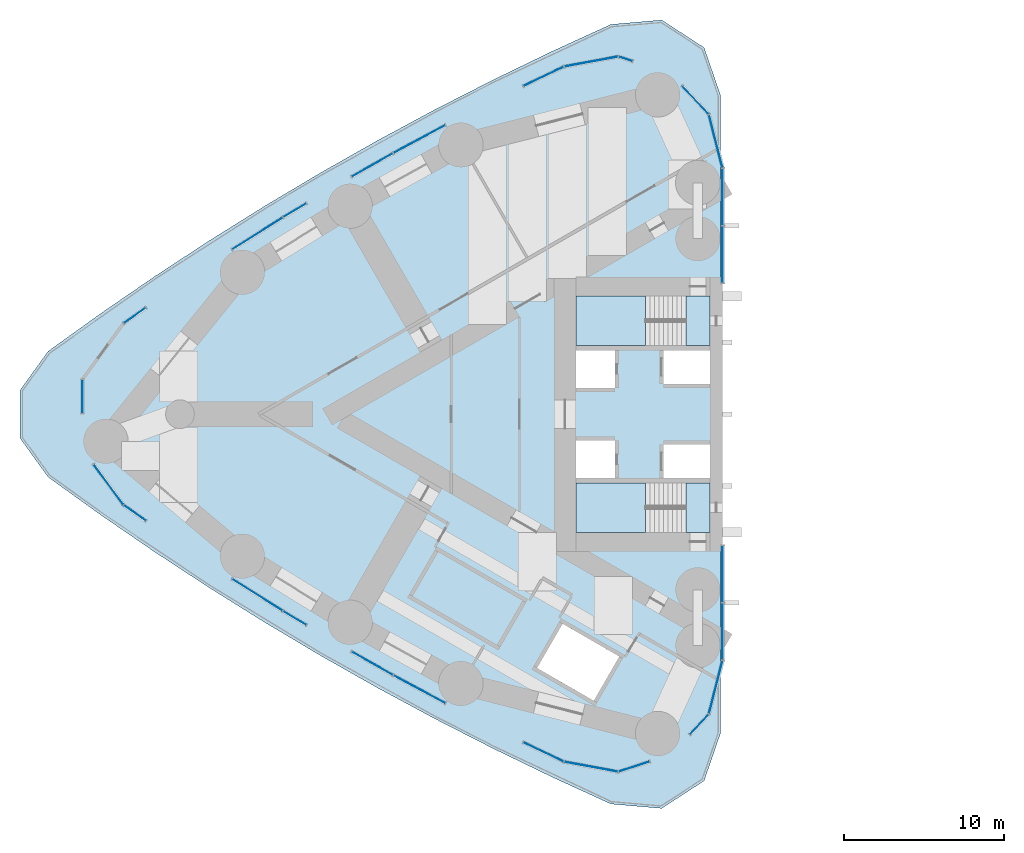
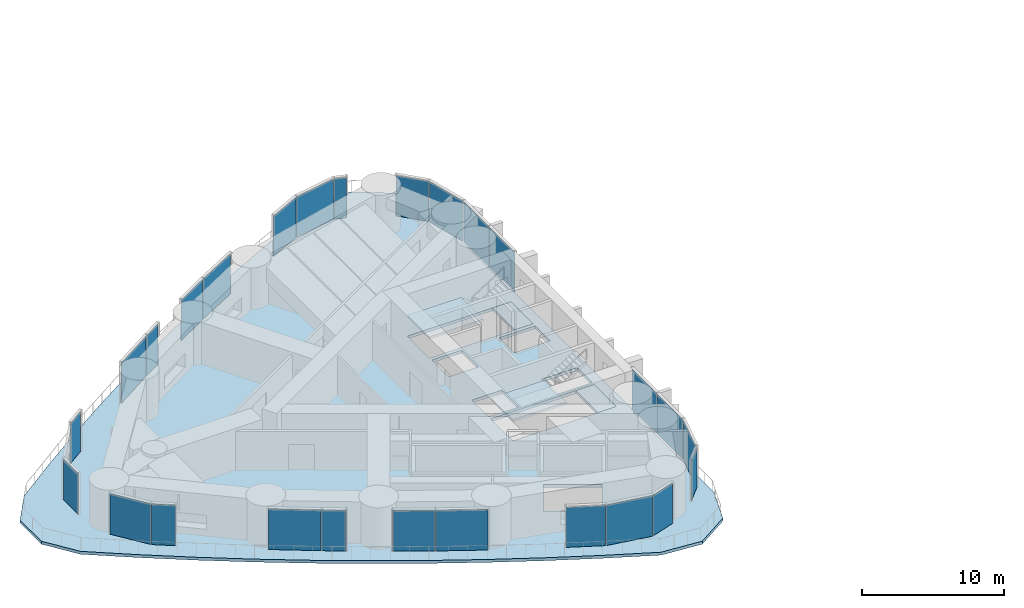
# One storey, part 9 of 17: 26 plates, 5 slabs, 13 elements without a shape of their own.
"""IFC4 building model written with IfcOpenShell, lengths in metres."""

from ifc_helpers import new_model, si_unit, direction, frame, origin, origin_2d, place, context, subcontext, project, spatial, polyline, rectangle, outline, extrude, material, layer, layer_set, type_object, element, aggregate, save


model = new_model("IFC4")

# Units and contexts
model_context = context("Model", 3, precision=1e-05, world=origin(), true_north=direction((0.0, 1.0)))
body_context = subcontext(model_context, "Body", "Model", "MODEL_VIEW")
ifc_project = project(units=[si_unit("LENGTHUNIT", "METRE"), si_unit("AREAUNIT", "SQUARE_METRE"), si_unit("VOLUMEUNIT", "CUBIC_METRE"), si_unit("PLANEANGLEUNIT", "RADIAN"), si_unit("MASSUNIT", "GRAM", prefix="KILO")], contexts=[model_context])

# Site, building, storey
site_placement = place(None, origin())
site = spatial("IfcSite", under=ifc_project, at=site_placement, CompositionType="ELEMENT")
building_placement = place(site_placement, origin())
building = spatial("IfcBuilding", under=site, at=building_placement, Name="Lancet Gate Hotel", CompositionType="ELEMENT")
storey_placement = place(building_placement, frame((0.0, 0.0, 152.699951171875)))
storey = spatial("IfcBuildingStorey", under=building, at=storey_placement, Name="L40", CompositionType="ELEMENT", Elevation=152.699951171875)

# Slab
ifc_material_1 = material(Name="Concrete C50/60", Category="concrete")
ifc_layer_1 = layer(ifc_material_1, 0.25)
ifc_layer_set_1 = layer_set([ifc_layer_1], Name="Floor slab 250")
slab_type_1 = type_object("IfcSlabType", Name="Floor slab 250", PredefinedType="FLOOR", material=ifc_layer_set_1)
slab_1_placement = place(storey_placement, frame((0.0, 0.0, -0.25)))
element("IfcSlab", 1, at=slab_1_placement, inside=storey, type_object=slab_type_1, Name="T1 L40 floor slab", PredefinedType="FLOOR", context=body_context, shape_type="SweptSolid", body=[
    extrude(outline(polyline([(-27.5, 8.199951171875), (-27.5, 8.60009765625), (-27.6201171875, 8.60009765625), (-27.6201171875, 15.408203125), (-27.6201171875, 19.950927734375), (-28.65966796875, 22.970947265625), (-31.320068359375, 24.69921875), (-34.5009765625, 24.421630859375), (-38.201416015625, 22.727783203125), (-41.8818359375, 20.946044921875), (-45.523193359375, 19.085693359375), (-49.12353515625, 17.147216796875), (-52.681396484375, 15.131591796875), (-56.195068359375, 13.0400390625), (-59.662841796875, 10.873291015625), (-63.0830078125, 8.63232421875), (-66.454345703125, 6.318115234375), (-69.76025390625, 3.94287109375), (-71.523193359375, 1.49755859375), (-71.523193359375, -1.49755859375), (-69.76025390625, -3.94287109375), (-66.454345703125, -6.318115234375), (-63.0830078125, -8.63232421875), (-59.662841796875, -10.873291015625), (-56.195068359375, -13.0400390625), (-52.681396484375, -15.131591796875), (-49.12353515625, -17.147216796875), (-45.523193359375, -19.085693359375), (-41.8818359375, -20.946044921875), (-38.201416015625, -22.727783203125), (-34.5009765625, -24.421630859375), (-31.320068359375, -24.69921875), (-28.65966796875, -22.970947265625), (-27.6201171875, -19.950927734375), (-27.6201171875, -15.408203125), (-27.6201171875, -8.60009765625), (-27.5, -8.60009765625), (-27.5, -8.199951171875), (-27.5, 8.199951171875)]), holes=[polyline([(-36.699951171875, 4.300048828125), (-28.300048828125, 4.300048828125), (-28.300048828125, 7.39990234375), (-36.699951171875, 7.39990234375), (-36.699951171875, 4.300048828125)]), polyline([(-31.199951171875, 4.0), (-31.199951171875, 1.89990234375), (-28.300048828125, 1.89990234375), (-28.300048828125, 4.0), (-31.199951171875, 4.0)]), polyline([(-36.699951171875, 4.0), (-36.699951171875, 1.64990234375), (-34.25, 1.64990234375), (-34.25, 4.0), (-36.699951171875, 4.0)]), polyline([(-36.699951171875, -4.0), (-34.25, -4.0), (-34.25, -1.64990234375), (-36.699951171875, -1.64990234375), (-36.699951171875, -4.0)]), polyline([(-31.199951171875, -1.89990234375), (-31.199951171875, -4.0), (-28.300048828125, -4.0), (-28.300048828125, -1.89990234375), (-31.199951171875, -1.89990234375)]), polyline([(-36.699951171875, -4.300048828125), (-36.699951171875, -7.39990234375), (-28.300048828125, -7.39990234375), (-28.300048828125, -4.300048828125), (-36.699951171875, -4.300048828125)]), polyline([(-37.52490234375, -13.131103515625), (-39.125, -15.902099609375), (-35.573974609375, -17.951904296875), (-33.97412109375, -15.180908203125), (-37.52490234375, -13.131103515625)])]), origin(), (0.0, 0.0, 1.0), 0.25),
])

# Stair, slabs
ifc_material_2 = material(Name="Exit stair 20 risers 1500")
stair_type = type_object("IfcStairType", Name="Exit stair 20 risers 1500", PredefinedType="HALF_TURN_STAIR", material=ifc_material_2)
stair_1_placement = place(storey_placement, origin())
stair_1 = element("IfcStair", 2, at=stair_1_placement, inside=storey, type_object=stair_type, Name="T1 stair 1 L40", PredefinedType="HALF_TURN_STAIR")
ifc_material_3 = material(Name="Concrete C40/50", Category="concrete")
ifc_layer_2 = layer(ifc_material_3, 0.199951171875)
ifc_layer_set_2 = layer_set([ifc_layer_2], Name="Stair landing 200")
slab_type_2 = type_object("IfcSlabType", Name="Stair landing 200", PredefinedType="LANDING", material=ifc_layer_set_2)
slab_2_placement = place(storey_placement, frame((0.0, 0.0, -0.199951171875)))
slab_2 = element("IfcSlab", 3, at=slab_2_placement, type_object=slab_type_2, Name="ST1 landing 1", PredefinedType="LANDING", context=body_context, shape_type="SweptSolid", body=[
    extrude(outline(polyline([(-28.300048828125, 7.39990234375), (-29.800048828125, 7.39990234375), (-29.800048828125, 4.300048828125), (-28.300048828125, 4.300048828125), (-28.300048828125, 7.39990234375)])), origin(), (0.0, 0.0, 1.0), 0.199951171875),
])
slab_3_placement = place(storey_placement, frame((0.0, 0.0, 1.60009765625)))
slab_3 = element("IfcSlab", 4, at=slab_3_placement, type_object=slab_type_2, Name="ST1 landing 2", PredefinedType="LANDING", context=body_context, shape_type="SweptSolid", body=[
    extrude(outline(polyline([(-32.320068359375, 7.39990234375), (-36.699951171875, 7.39990234375), (-36.699951171875, 4.300048828125), (-32.320068359375, 4.300048828125), (-32.320068359375, 7.39990234375)])), origin(), (0.0, 0.0, 1.0), 0.199951171875),
])
aggregate(stair_1, [slab_2, slab_3])

stair_2_placement = place(storey_placement, origin())
stair_2 = element("IfcStair", 5, at=stair_2_placement, inside=storey, type_object=stair_type, Name="T1 stair 2 L40", PredefinedType="HALF_TURN_STAIR")
slab_4_placement = place(storey_placement, frame((0.0, 0.0, -0.199951171875)))
slab_4 = element("IfcSlab", 6, at=slab_4_placement, type_object=slab_type_2, Name="ST2 landing 1", PredefinedType="LANDING", context=body_context, shape_type="SweptSolid", body=[
    extrude(outline(polyline([(-28.300048828125, -4.300048828125), (-29.800048828125, -4.300048828125), (-29.800048828125, -7.39990234375), (-28.300048828125, -7.39990234375), (-28.300048828125, -4.300048828125)])), origin(), (0.0, 0.0, 1.0), 0.199951171875),
])
slab_5_placement = place(storey_placement, frame((0.0, 0.0, 1.60009765625)))
slab_5 = element("IfcSlab", 7, at=slab_5_placement, type_object=slab_type_2, Name="ST2 landing 2", PredefinedType="LANDING", context=body_context, shape_type="SweptSolid", body=[
    extrude(outline(polyline([(-32.320068359375, -4.300048828125), (-36.699951171875, -4.300048828125), (-36.699951171875, -7.39990234375), (-32.320068359375, -7.39990234375), (-32.320068359375, -4.300048828125)])), origin(), (0.0, 0.0, 1.0), 0.199951171875),
])
aggregate(stair_2, [slab_4, slab_5])

# Curtain wall, plates
ifc_material_4 = material(Name="Aluminium curtain wall", Category="aluminium")
curtain_wall_type = type_object("IfcCurtainWallType", Name="Tower unitised curtain wall", PredefinedType="USERDEFINED", material=ifc_material_4)
curtain_wall_1_placement = place(storey_placement, origin())
curtain_wall_1 = element("IfcCurtainWall", 8, at=curtain_wall_1_placement, inside=storey, type_object=curtain_wall_type, Name="T1 L40 curtain wall 1", ObjectType="UNITISED CURTAIN WALL", PredefinedType="USERDEFINED")
ifc_material_5 = material(Name="Glass double glazed unit 8-16-6", Category="glass")
ifc_layer_3 = layer(ifc_material_5, 0.030029296875)
ifc_layer_set_3 = layer_set([ifc_layer_3], Name="Vision panel double glazed")
plate_type = type_object("IfcPlateType", Name="Vision panel double glazed", PredefinedType="CURTAIN_PANEL", material=ifc_layer_set_3)
plate_1_placement = place(storey_placement, frame((-27.5, 10.005859375, 0.0), z_axis=(0.0, 0.0, 1.0), x_axis=(0.0, 1.0, 0.0)))
plate_1 = element("IfcPlate", 9, at=plate_1_placement, type_object=plate_type, Name="T1 L40 curtain wall 1 panel 1", PredefinedType="CURTAIN_PANEL", context=body_context, shape_type="SweptSolid", body=[
    extrude(rectangle(XDim=3.546630859375, YDim=0.030029296875, at=origin_2d()), origin(), (0.0, 0.0, 1.0), 3.449951171875),
])
plate_2_placement = place(storey_placement, frame((-27.5, 13.617431640625, 0.0), z_axis=(0.0, 0.0, 1.0), x_axis=(0.0, 1.0, 0.0)))
plate_2 = element("IfcPlate", 10, at=plate_2_placement, type_object=plate_type, Name="T1 L40 curtain wall 1 panel 2", PredefinedType="CURTAIN_PANEL", context=body_context, shape_type="SweptSolid", body=[
    extrude(rectangle(XDim=3.546630859375, YDim=0.030029296875, at=origin_2d()), origin(), (0.0, 0.0, 1.0), 3.449951171875),
])
plate_3_placement = place(storey_placement, frame((-27.930419921875, 17.104736328125, 0.0), z_axis=(0.0, 0.0, 1.0), x_axis=(-0.247936754654, 0.968776220647, 0.0)))
plate_3 = element("IfcPlate", 11, at=plate_3_placement, type_object=plate_type, Name="T1 L40 curtain wall 1 panel 3", PredefinedType="CURTAIN_PANEL", context=body_context, shape_type="SweptSolid", body=[
    extrude(rectangle(XDim=3.406005859375, YDim=0.030029296875, at=origin_2d()), origin(), (0.0, 0.0, 1.0), 3.449951171875),
])
plate_4_placement = place(storey_placement, frame((-29.20361328125, 19.68798828125, 0.0), z_axis=(0.0, 0.0, 1.0), x_axis=(-0.682844962172, 0.730563315282, 0.0)))
plate_4 = element("IfcPlate", 12, at=plate_4_placement, type_object=plate_type, Name="T1 L40 curtain wall 1 panel 4", PredefinedType="CURTAIN_PANEL", context=body_context, shape_type="SweptSolid", body=[
    extrude(rectangle(XDim=2.404296875, YDim=0.030029296875, at=origin_2d()), origin(), (0.0, 0.0, 1.0), 3.449951171875),
])
aggregate(curtain_wall_1, [plate_1, plate_2, plate_3, plate_4])

curtain_wall_2_placement = place(storey_placement, origin())
curtain_wall_2 = element("IfcCurtainWall", 13, at=curtain_wall_2_placement, inside=storey, type_object=curtain_wall_type, Name="T1 L40 curtain wall 2", ObjectType="UNITISED CURTAIN WALL", PredefinedType="USERDEFINED")
plate_5_placement = place(storey_placement, frame((-33.574951171875, 22.25830078125, 0.0), z_axis=(0.0, 0.0, 1.0), x_axis=(-0.949848055084, 0.312711803827, 0.0)))
plate_5 = element("IfcPlate", 14, at=plate_5_placement, type_object=plate_type, Name="T1 L40 curtain wall 2 panel 1", PredefinedType="CURTAIN_PANEL", context=body_context, shape_type="SweptSolid", body=[
    extrude(rectangle(XDim=0.888427734375, YDim=0.030029296875, at=origin_2d()), origin(), (0.0, 0.0, 1.0), 3.449951171875),
])
plate_6_placement = place(storey_placement, frame((-35.734375, 22.091552734375, 0.0), z_axis=(0.0, 0.0, 1.0), x_axis=(-0.983292499426, -0.182032581075, 0.0)))
plate_6 = element("IfcPlate", 15, at=plate_6_placement, type_object=plate_type, Name="T1 L40 curtain wall 2 panel 2", PredefinedType="CURTAIN_PANEL", context=body_context, shape_type="SweptSolid", body=[
    extrude(rectangle(XDim=3.406005859375, YDim=0.030029296875, at=origin_2d()), origin(), (0.0, 0.0, 1.0), 3.449951171875),
])
plate_7_placement = place(storey_placement, frame((-38.7236328125, 21.163330078125, 0.0), z_axis=(0.0, 0.0, 1.0), x_axis=(-0.902453530018, -0.430787216799, 0.0)))
plate_7 = element("IfcPlate", 16, at=plate_7_placement, type_object=plate_type, Name="T1 L40 curtain wall 2 panel 3", PredefinedType="CURTAIN_PANEL", context=body_context, shape_type="SweptSolid", body=[
    extrude(rectangle(XDim=2.777587890625, YDim=0.030029296875, at=origin_2d()), origin(), (0.0, 0.0, 1.0), 3.449951171875),
])
aggregate(curtain_wall_2, [plate_5, plate_6, plate_7])

curtain_wall_3_placement = place(storey_placement, origin())
curtain_wall_3 = element("IfcCurtainWall", 17, at=curtain_wall_3_placement, inside=storey, type_object=curtain_wall_type, Name="T1 L40 curtain wall 3", ObjectType="UNITISED CURTAIN WALL", PredefinedType="USERDEFINED")
plate_8_placement = place(storey_placement, frame((-46.495361328125, 17.238037109375, 0.0), z_axis=(0.0, 0.0, 1.0), x_axis=(-0.881195096384, -0.472752791751, 0.0)))
plate_8 = element("IfcPlate", 18, at=plate_8_placement, type_object=plate_type, Name="T1 L40 curtain wall 3 panel 1", PredefinedType="CURTAIN_PANEL", context=body_context, shape_type="SweptSolid", body=[
    extrude(rectangle(XDim=3.669921875, YDim=0.030029296875, at=origin_2d()), origin(), (0.0, 0.0, 1.0), 3.449951171875),
])
plate_9_placement = place(storey_placement, frame((-49.45263671875, 15.611328125, 0.0), z_axis=(0.0, 0.0, 1.0), x_axis=(-0.869831477496, -0.493348964484, 0.0)))
plate_9 = element("IfcPlate", 19, at=plate_9_placement, type_object=plate_type, Name="T1 L40 curtain wall 3 panel 2", PredefinedType="CURTAIN_PANEL", context=body_context, shape_type="SweptSolid", body=[
    extrude(rectangle(XDim=2.95068359375, YDim=0.030029296875, at=origin_2d()), origin(), (0.0, 0.0, 1.0), 3.449951171875),
])
aggregate(curtain_wall_3, [plate_8, plate_9])

curtain_wall_4_placement = place(storey_placement, origin())
curtain_wall_4 = element("IfcCurtainWall", 20, at=curtain_wall_4_placement, inside=storey, type_object=curtain_wall_type, Name="T1 L40 curtain wall 4", ObjectType="UNITISED CURTAIN WALL", PredefinedType="USERDEFINED")
plate_10_placement = place(storey_placement, frame((-54.302978515625, 12.77587890625, 0.0), z_axis=(0.0, 0.0, 1.0), x_axis=(-0.857986551132, -0.51367215038, 0.0)))
plate_10 = element("IfcPlate", 21, at=plate_10_placement, type_object=plate_type, Name="T1 L40 curtain wall 4 panel 1", PredefinedType="CURTAIN_PANEL", context=body_context, shape_type="SweptSolid", body=[
    extrude(rectangle(XDim=1.677490234375, YDim=0.030029296875, at=origin_2d()), origin(), (0.0, 0.0, 1.0), 3.449951171875),
])
plate_11_placement = place(storey_placement, frame((-56.647705078125, 11.320068359375, 0.0), z_axis=(0.0, 0.0, 1.0), x_axis=(-0.845666871497, -0.533711103925, 0.0)))
plate_11 = element("IfcPlate", 22, at=plate_11_placement, type_object=plate_type, Name="T1 L40 curtain wall 4 panel 2", PredefinedType="CURTAIN_PANEL", context=body_context, shape_type="SweptSolid", body=[
    extrude(rectangle(XDim=3.712890625, YDim=0.030029296875, at=origin_2d()), origin(), (0.0, 0.0, 1.0), 3.449951171875),
])
aggregate(curtain_wall_4, [plate_10, plate_11])

# Curtain wall, plate
curtain_wall_5_placement = place(storey_placement, origin())
curtain_wall_5 = element("IfcCurtainWall", 23, at=curtain_wall_5_placement, inside=storey, type_object=curtain_wall_type, Name="T1 L40 curtain wall 5", ObjectType="UNITISED CURTAIN WALL", PredefinedType="USERDEFINED")
plate_12_placement = place(storey_placement, frame((-64.326171875, 6.189208984375, 0.0), z_axis=(0.0, 0.0, 1.0), x_axis=(-0.819630778943, -0.572892124409, 0.0)))
plate_12 = element("IfcPlate", 24, at=plate_12_placement, type_object=plate_type, Name="T1 L40 curtain wall 5 panel 1", PredefinedType="CURTAIN_PANEL", context=body_context, shape_type="SweptSolid", body=[
    extrude(rectangle(XDim=1.677978515625, YDim=0.030029296875, at=origin_2d()), origin(), (0.0, 0.0, 1.0), 3.449951171875),
])
aggregate(curtain_wall_5, [plate_12])

curtain_wall_6_placement = place(storey_placement, origin())
curtain_wall_6 = element("IfcCurtainWall", 25, at=curtain_wall_6_placement, inside=storey, type_object=curtain_wall_type, Name="T1 L40 curtain wall 6", ObjectType="UNITISED CURTAIN WALL", PredefinedType="USERDEFINED")
plate_13_placement = place(storey_placement, frame((-67.61572265625, 1.102294921875, 0.0), z_axis=(0.0, 0.0, 1.0), x_axis=(0.0, -1.0, 0.0)))
plate_13 = element("IfcPlate", 26, at=plate_13_placement, type_object=plate_type, Name="T1 L40 curtain wall 6 panel 1", PredefinedType="CURTAIN_PANEL", context=body_context, shape_type="SweptSolid", body=[
    extrude(rectangle(XDim=2.085693359375, YDim=0.030029296875, at=origin_2d()), origin(), (0.0, 0.0, 1.0), 3.449951171875),
])
aggregate(curtain_wall_6, [plate_13])

# Curtain wall, plates
curtain_wall_7_placement = place(storey_placement, origin())
curtain_wall_7 = element("IfcCurtainWall", 27, at=curtain_wall_7_placement, inside=storey, type_object=curtain_wall_type, Name="T1 L40 curtain wall 7", ObjectType="UNITISED CURTAIN WALL", PredefinedType="USERDEFINED")
plate_14_placement = place(storey_placement, frame((-65.9814453125, -4.40625, 0.0), z_axis=(0.0, 0.0, 1.0), x_axis=(0.591299785592, -0.806451835858, 0.0)))
plate_14 = element("IfcPlate", 28, at=plate_14_placement, type_object=plate_type, Name="T1 L40 curtain wall 7 panel 1", PredefinedType="CURTAIN_PANEL", context=body_context, shape_type="SweptSolid", body=[
    extrude(rectangle(XDim=3.117919921875, YDim=0.030029296875, at=origin_2d()), origin(), (0.0, 0.0, 1.0), 3.449951171875),
])
plate_15_placement = place(storey_placement, frame((-64.326171875, -6.189208984375, 0.0), z_axis=(0.0, 0.0, 1.0), x_axis=(0.819630778943, -0.572892124409, 0.0)))
plate_15 = element("IfcPlate", 29, at=plate_15_placement, type_object=plate_type, Name="T1 L40 curtain wall 7 panel 2", PredefinedType="CURTAIN_PANEL", context=body_context, shape_type="SweptSolid", body=[
    extrude(rectangle(XDim=1.677978515625, YDim=0.030029296875, at=origin_2d()), origin(), (0.0, 0.0, 1.0), 3.449951171875),
])
aggregate(curtain_wall_7, [plate_14, plate_15])

curtain_wall_8_placement = place(storey_placement, origin())
curtain_wall_8 = element("IfcCurtainWall", 30, at=curtain_wall_8_placement, inside=storey, type_object=curtain_wall_type, Name="T1 L40 curtain wall 8", ObjectType="UNITISED CURTAIN WALL", PredefinedType="USERDEFINED")
plate_16_placement = place(storey_placement, frame((-56.647705078125, -11.320068359375, 0.0), z_axis=(0.0, 0.0, 1.0), x_axis=(0.845666871497, -0.533711103925, 0.0)))
plate_16 = element("IfcPlate", 31, at=plate_16_placement, type_object=plate_type, Name="T1 L40 curtain wall 8 panel 1", PredefinedType="CURTAIN_PANEL", context=body_context, shape_type="SweptSolid", body=[
    extrude(rectangle(XDim=3.712890625, YDim=0.030029296875, at=origin_2d()), origin(), (0.0, 0.0, 1.0), 3.449951171875),
])
plate_17_placement = place(storey_placement, frame((-54.302978515625, -12.77587890625, 0.0), z_axis=(0.0, 0.0, 1.0), x_axis=(0.857986551132, -0.51367215038, 0.0)))
plate_17 = element("IfcPlate", 32, at=plate_17_placement, type_object=plate_type, Name="T1 L40 curtain wall 8 panel 2", PredefinedType="CURTAIN_PANEL", context=body_context, shape_type="SweptSolid", body=[
    extrude(rectangle(XDim=1.677490234375, YDim=0.030029296875, at=origin_2d()), origin(), (0.0, 0.0, 1.0), 3.449951171875),
])
aggregate(curtain_wall_8, [plate_16, plate_17])

curtain_wall_9_placement = place(storey_placement, origin())
curtain_wall_9 = element("IfcCurtainWall", 33, at=curtain_wall_9_placement, inside=storey, type_object=curtain_wall_type, Name="T1 L40 curtain wall 9", ObjectType="UNITISED CURTAIN WALL", PredefinedType="USERDEFINED")
plate_18_placement = place(storey_placement, frame((-49.45263671875, -15.611328125, 0.0), z_axis=(0.0, 0.0, 1.0), x_axis=(0.869831477496, -0.493348964484, 0.0)))
plate_18 = element("IfcPlate", 34, at=plate_18_placement, type_object=plate_type, Name="T1 L40 curtain wall 9 panel 1", PredefinedType="CURTAIN_PANEL", context=body_context, shape_type="SweptSolid", body=[
    extrude(rectangle(XDim=2.95068359375, YDim=0.030029296875, at=origin_2d()), origin(), (0.0, 0.0, 1.0), 3.449951171875),
])
plate_19_placement = place(storey_placement, frame((-46.495361328125, -17.238037109375, 0.0), z_axis=(0.0, 0.0, 1.0), x_axis=(0.881195096384, -0.472752791751, 0.0)))
plate_19 = element("IfcPlate", 35, at=plate_19_placement, type_object=plate_type, Name="T1 L40 curtain wall 9 panel 2", PredefinedType="CURTAIN_PANEL", context=body_context, shape_type="SweptSolid", body=[
    extrude(rectangle(XDim=3.669921875, YDim=0.030029296875, at=origin_2d()), origin(), (0.0, 0.0, 1.0), 3.449951171875),
])
aggregate(curtain_wall_9, [plate_18, plate_19])

curtain_wall_10_placement = place(storey_placement, origin())
curtain_wall_10 = element("IfcCurtainWall", 36, at=curtain_wall_10_placement, inside=storey, type_object=curtain_wall_type, Name="T1 L40 curtain wall 10", ObjectType="UNITISED CURTAIN WALL", PredefinedType="USERDEFINED")
plate_20_placement = place(storey_placement, frame((-38.7236328125, -21.163330078125, 0.0), z_axis=(0.0, 0.0, 1.0), x_axis=(0.902453530018, -0.430787216799, 0.0)))
plate_20 = element("IfcPlate", 37, at=plate_20_placement, type_object=plate_type, Name="T1 L40 curtain wall 10 panel 1", PredefinedType="CURTAIN_PANEL", context=body_context, shape_type="SweptSolid", body=[
    extrude(rectangle(XDim=2.777587890625, YDim=0.030029296875, at=origin_2d()), origin(), (0.0, 0.0, 1.0), 3.449951171875),
])
plate_21_placement = place(storey_placement, frame((-35.734375, -22.091552734375, 0.0), z_axis=(0.0, 0.0, 1.0), x_axis=(0.983292499426, -0.182032581075, 0.0)))
plate_21 = element("IfcPlate", 38, at=plate_21_placement, type_object=plate_type, Name="T1 L40 curtain wall 10 panel 2", PredefinedType="CURTAIN_PANEL", context=body_context, shape_type="SweptSolid", body=[
    extrude(rectangle(XDim=3.406005859375, YDim=0.030029296875, at=origin_2d()), origin(), (0.0, 0.0, 1.0), 3.449951171875),
])
plate_22_placement = place(storey_placement, frame((-33.037109375, -22.081298828125, 0.0), z_axis=(0.0, 0.0, 1.0), x_axis=(0.949848055084, 0.312711803827, 0.0)))
plate_22 = element("IfcPlate", 39, at=plate_22_placement, type_object=plate_type, Name="T1 L40 curtain wall 10 panel 3", PredefinedType="CURTAIN_PANEL", context=body_context, shape_type="SweptSolid", body=[
    extrude(rectangle(XDim=2.02099609375, YDim=0.030029296875, at=origin_2d()), origin(), (0.0, 0.0, 1.0), 3.449951171875),
])
aggregate(curtain_wall_10, [plate_20, plate_21, plate_22])

curtain_wall_11_placement = place(storey_placement, origin())
curtain_wall_11 = element("IfcCurtainWall", 40, at=curtain_wall_11_placement, inside=storey, type_object=curtain_wall_type, Name="T1 L40 curtain wall 11", ObjectType="UNITISED CURTAIN WALL", PredefinedType="USERDEFINED")
plate_23_placement = place(storey_placement, frame((-28.967529296875, -19.435302734375, 0.0), z_axis=(0.0, 0.0, 1.0), x_axis=(0.682844962172, 0.730563315282, 0.0)))
plate_23 = element("IfcPlate", 41, at=plate_23_placement, type_object=plate_type, Name="T1 L40 curtain wall 11 panel 1", PredefinedType="CURTAIN_PANEL", context=body_context, shape_type="SweptSolid", body=[
    extrude(rectangle(XDim=1.712646484375, YDim=0.030029296875, at=origin_2d()), origin(), (0.0, 0.0, 1.0), 3.449951171875),
])
plate_24_placement = place(storey_placement, frame((-27.930419921875, -17.104736328125, 0.0), z_axis=(0.0, 0.0, 1.0), x_axis=(0.247936754654, 0.968776220647, 0.0)))
plate_24 = element("IfcPlate", 42, at=plate_24_placement, type_object=plate_type, Name="T1 L40 curtain wall 11 panel 2", PredefinedType="CURTAIN_PANEL", context=body_context, shape_type="SweptSolid", body=[
    extrude(rectangle(XDim=3.406005859375, YDim=0.030029296875, at=origin_2d()), origin(), (0.0, 0.0, 1.0), 3.449951171875),
])
plate_25_placement = place(storey_placement, frame((-27.5, -13.617431640625, 0.0), z_axis=(0.0, 0.0, 1.0), x_axis=(0.0, 1.0, 0.0)))
plate_25 = element("IfcPlate", 43, at=plate_25_placement, type_object=plate_type, Name="T1 L40 curtain wall 11 panel 3", PredefinedType="CURTAIN_PANEL", context=body_context, shape_type="SweptSolid", body=[
    extrude(rectangle(XDim=3.546630859375, YDim=0.030029296875, at=origin_2d()), origin(), (0.0, 0.0, 1.0), 3.449951171875),
])
plate_26_placement = place(storey_placement, frame((-27.5, -10.005859375, 0.0), z_axis=(0.0, 0.0, 1.0), x_axis=(0.0, 1.0, 0.0)))
plate_26 = element("IfcPlate", 44, at=plate_26_placement, type_object=plate_type, Name="T1 L40 curtain wall 11 panel 4", PredefinedType="CURTAIN_PANEL", context=body_context, shape_type="SweptSolid", body=[
    extrude(rectangle(XDim=3.546630859375, YDim=0.030029296875, at=origin_2d()), origin(), (0.0, 0.0, 1.0), 3.449951171875),
])
aggregate(curtain_wall_11, [plate_23, plate_24, plate_25, plate_26])

save(model, "model.ifc")
